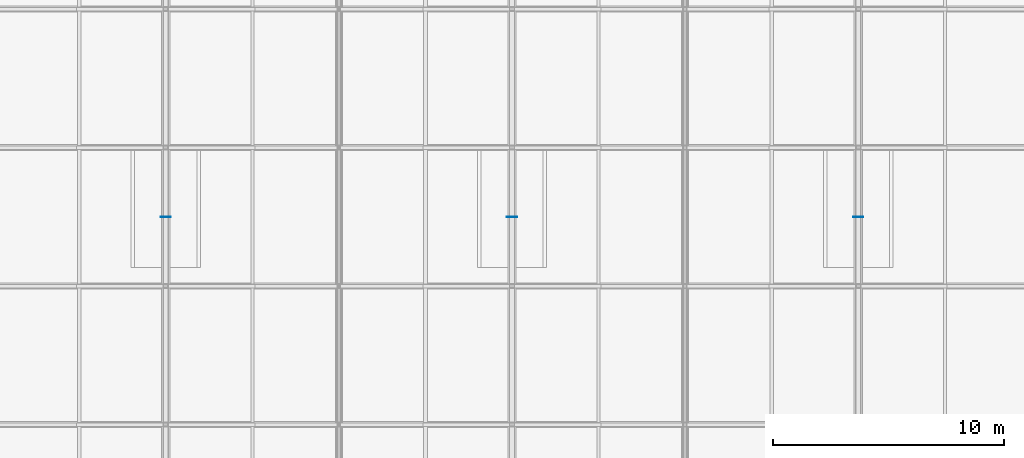
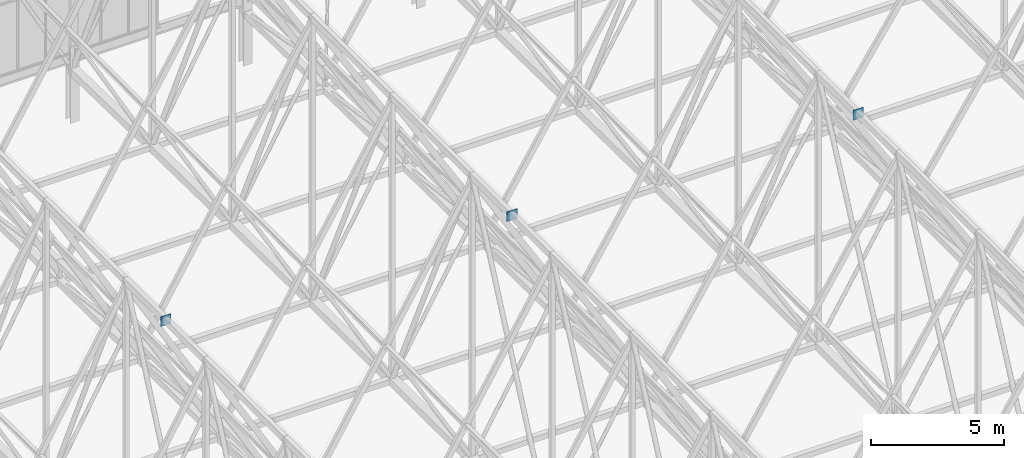
# One storey, part 300 of 324: 3 plates.
"""IFC4 building model written with IfcOpenShell, lengths in metres."""

from ifc_helpers import new_model, si_unit, direction, frame, origin, origin_2d, place, context, subcontext, project, spatial, rectangle, extrude, material, layer, layer_set, type_object, element, save


model = new_model("IFC4")

# Units and contexts
model_context = context("Model", 3, precision=1e-05, world=origin(), true_north=direction((0.0, 1.0)))
body_context = subcontext(model_context, "Body", "Model", "MODEL_VIEW")
ifc_project = project(units=[si_unit("LENGTHUNIT", "METRE"), si_unit("AREAUNIT", "SQUARE_METRE"), si_unit("VOLUMEUNIT", "CUBIC_METRE"), si_unit("PLANEANGLEUNIT", "RADIAN"), si_unit("MASSUNIT", "GRAM", prefix="KILO")], contexts=[model_context])

# Site, building, storey
site_placement = place(None, origin())
site = spatial("IfcSite", under=ifc_project, at=site_placement, CompositionType="ELEMENT")
building_placement = place(site_placement, origin())
building = spatial("IfcBuilding", under=site, at=building_placement, Name="Solvenia Promenade Tram Depot", CompositionType="ELEMENT")
storey_placement = place(building_placement, frame((0.0, 0.0, 4.5)))
storey = spatial("IfcBuildingStorey", under=building, at=storey_placement, Name="L01", CompositionType="ELEMENT", Elevation=4.5)

# Plates
ifc_material = material(Name="Structural steel ASTM A572 Gr. 50", Category="steel")
ifc_layer = layer(ifc_material, 0.02392578125, Name="Structural steel ASTM A572 Gr. 50", Category="steel")
ifc_layer_set = layer_set([ifc_layer], Name="Structural steel ASTM A572 Gr. 50")
plate_type = type_object("IfcPlateType", Name="Gusset-GP4", PredefinedType="USERDEFINED", material=ifc_layer_set)
for number, where, z_axis, x_axis, name in (
    (1, (97.5, 93.0, 15.86279296875), (0.0, 0.0, 1.0), (1.0, 0.0, 0.0), "Ridge Node Gusset T14-S05"),
    (2, (112.5, 93.0, 15.421875), (0.0, 0.0, 1.0), (1.0, 0.0, 0.0), "Ridge Node Gusset T16-S05"),
    (3, (127.5, 93.0, 14.81494140625), (0.0, 0.0, 1.0), (1.0, 0.0, 0.0), "Ridge Node Gusset T18-S05"),
):
    element("IfcPlate", number, at=place(storey_placement, frame(where, z_axis=z_axis, x_axis=x_axis)), inside=storey, type_object=plate_type, Name=name, ObjectType="GUSSET PLATE", PredefinedType="USERDEFINED", context=body_context, shape_type="SweptSolid", body=[
        extrude(rectangle(XDim=0.449951171875, YDim=0.02001953125, at=origin_2d()), origin(), (0.0, 0.0, 1.0), 0.449951171875),
    ])

save(model, "model.ifc")
